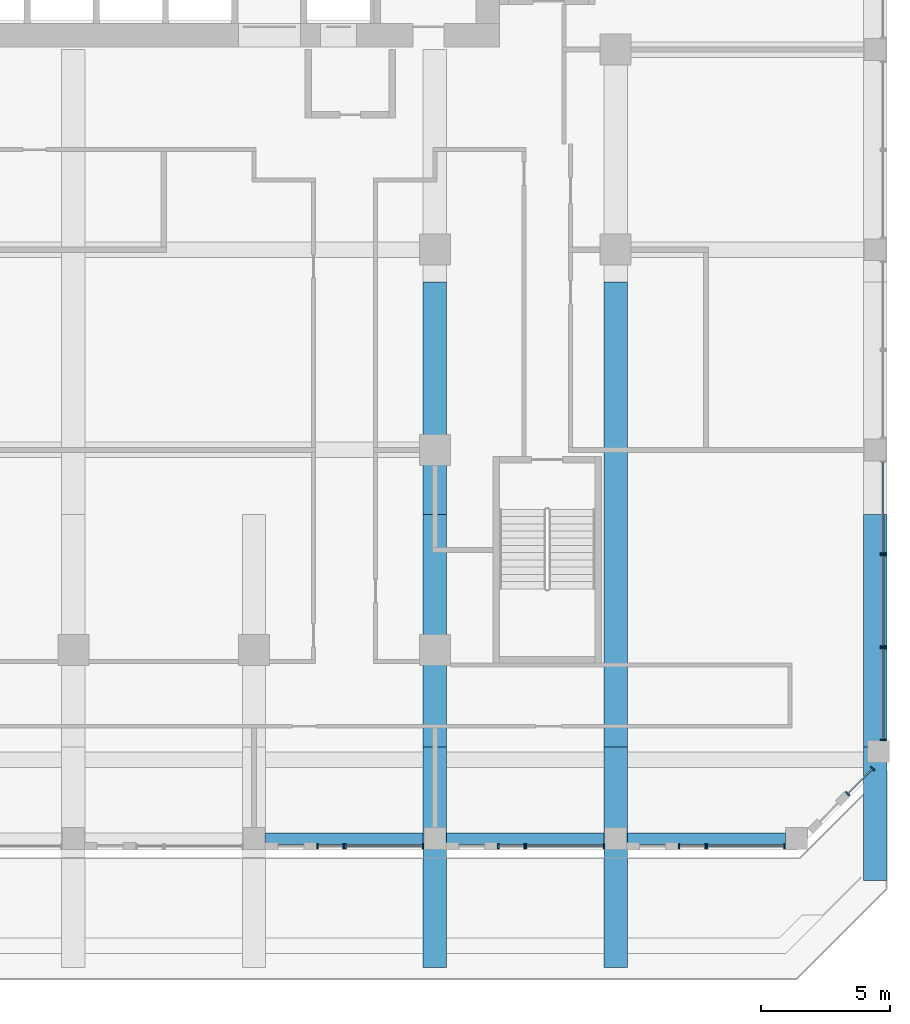
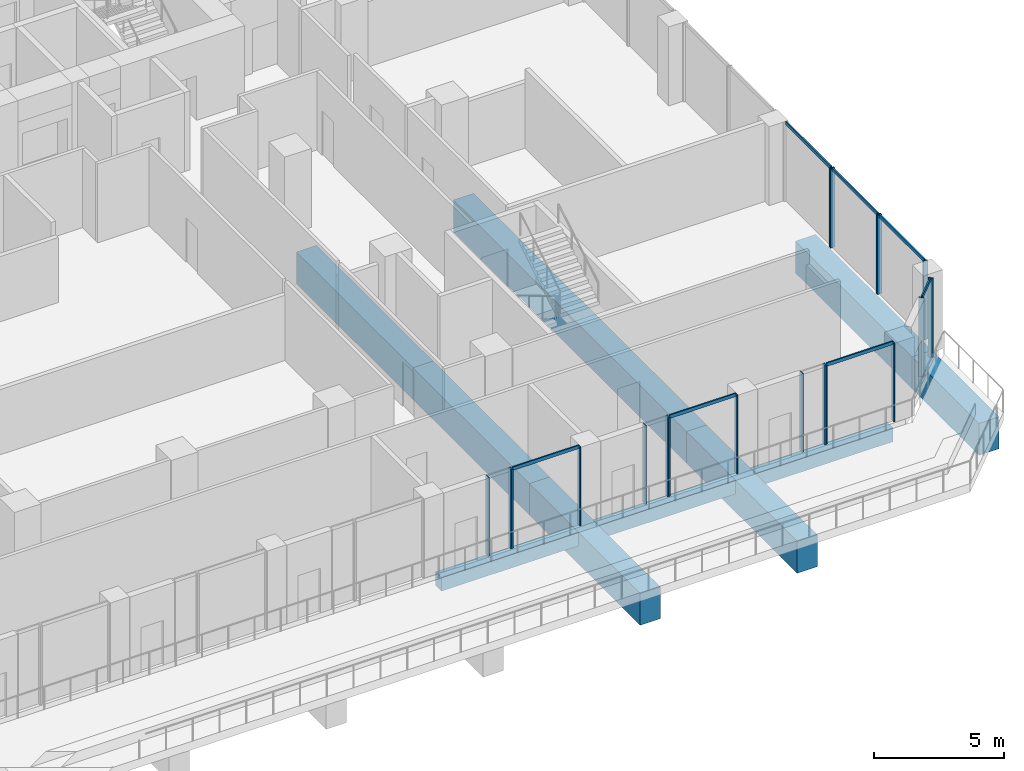
# One storey, part 4 of 17: 26 members, 10 beams, 10 elements without a shape of their own.
"""IFC4 building model written with IfcOpenShell, lengths in metres."""

from ifc_helpers import new_model, si_unit, direction, frame, origin, origin_2d, place, context, subcontext, project, spatial, rectangle, extrude, source, transform, mapped, material, material_profile, profile_set, type_object, element, aggregate, save


model = new_model("IFC4")

# Units and contexts
model_context = context("Model", 3, precision=1e-05, world=origin(), true_north=direction((0.0, 1.0)))
body_context = subcontext(model_context, "Body", "Model", "MODEL_VIEW")
ifc_project = project(units=[si_unit("LENGTHUNIT", "METRE"), si_unit("AREAUNIT", "SQUARE_METRE"), si_unit("VOLUMEUNIT", "CUBIC_METRE"), si_unit("PLANEANGLEUNIT", "RADIAN"), si_unit("MASSUNIT", "GRAM", prefix="KILO")], contexts=[model_context])

# Site, building, storey
site_placement = place(None, origin())
site = spatial("IfcSite", under=ifc_project, at=site_placement, CompositionType="ELEMENT")
building_placement = place(site_placement, origin())
building = spatial("IfcBuilding", under=site, at=building_placement, Name="Kilnfold Tower and Market Hall", CompositionType="ELEMENT")
storey_placement = place(building_placement, frame((0.0, 0.0, 100.60009765625)))
storey = spatial("IfcBuildingStorey", under=building, at=storey_placement, Name="L23", CompositionType="ELEMENT", Elevation=100.60009765625)

# Beams
ifc_material_1 = material(Name="Concrete C45", Category="concrete")
ifc_material_profile_1 = material_profile(ifc_material_1, rectangle(XDim=0.449951171875, YDim=0.64990234375, at=origin_2d()), Name="RC 450x650")
ifc_profile_set_1 = profile_set([ifc_material_profile_1], Name="Concrete C45")
beam_type_1 = type_object("IfcBeamType", Name="EDGE BEAM 450X650 C45", PredefinedType="BEAM", material=ifc_profile_set_1)
shared_shape_1 = source(origin(), body_context, "Body", "SweptSolid", [
    extrude(rectangle(XDim=0.449951171875, YDim=0.64990234375, at=origin_2d()), origin(), (0.0, 0.0, 1.0), 6.10009765625),
])
for number, where, z_axis, x_axis, name in (
    (1, (8.949951171875, -22.550048828125, -0.72509765625), (1.0, 0.0, 0.0), (0.0, 1.0, 0.0), "Beam EB650-B3.41"),
    (2, (15.949951171875, -22.550048828125, -0.72509765625), (1.0, 0.0, 0.0), (0.0, 1.0, 0.0), "Beam EB650-B3.42"),
):
    element("IfcBeam", number, at=place(storey_placement, frame(where, z_axis=z_axis, x_axis=x_axis)), inside=storey, type_object=beam_type_1, Name=name, PredefinedType="BEAM", context=body_context, shape_type="MappedRepresentation", body=[
        mapped(shared_shape_1, transform((0.0, 0.0, 0.0))),
    ])
ifc_material_2 = material(Name="Concrete C60", Category="concrete")
ifc_material_profile_2 = material_profile(ifc_material_2, rectangle(XDim=0.89990234375, YDim=1.5, at=origin_2d()), Name="RC 900x1500")
ifc_profile_set_2 = profile_set([ifc_material_profile_2], Name="Concrete C60")
beam_type_2 = type_object("IfcBeamType", Name="TRANSFER GIRDER 900X1500 C60", PredefinedType="BEAM", material=ifc_profile_set_2)
shared_shape_2 = source(origin(), body_context, "Body", "SweptSolid", [
    extrude(rectangle(XDim=0.89990234375, YDim=1.5, at=origin_2d()), origin(), (0.0, 0.0, 1.0), 9.0),
])
for number, where, z_axis, x_axis, name in (
    (3, (15.5, -19.0, -1.150146484375), (0.0, 1.0, 0.0), (-1.0, 0.0, 0.0), "Beam TG1500-B3.24"),
    (4, (15.5, -10.0, -1.150146484375), (0.0, 1.0, 0.0), (-1.0, 0.0, 0.0), "Beam TG1500-B3.25"),
    (5, (32.550048828125, -19.0, -1.150146484375), (0.0, 1.0, 0.0), (-1.0, 0.0, 0.0), "Beam TG1500-B3.32"),
):
    element("IfcBeam", number, at=place(storey_placement, frame(where, z_axis=z_axis, x_axis=x_axis)), inside=storey, type_object=beam_type_2, Name=name, PredefinedType="BEAM", context=body_context, shape_type="MappedRepresentation", body=[
        mapped(shared_shape_2, transform((0.0, 0.0, 0.0))),
    ])
shared_shape_3 = source(origin(), body_context, "Body", "SweptSolid", [
    extrude(rectangle(XDim=0.89990234375, YDim=1.5, at=origin_2d()), origin(), (0.0, 0.0, 1.0), 8.550048828125),
])
for number, where, z_axis, x_axis, name in (
    (6, (15.5, -27.550048828125, -1.150146484375), (0.0, 1.0, 0.0), (-1.0, 0.0, 0.0), "Beam TG1500-B3.23"),
    (7, (22.5, -27.550048828125, -1.150146484375), (0.0, 1.0, 0.0), (-1.0, 0.0, 0.0), "Beam TG1500-B3.28"),
):
    element("IfcBeam", number, at=place(storey_placement, frame(where, z_axis=z_axis, x_axis=x_axis)), inside=storey, type_object=beam_type_2, Name=name, PredefinedType="BEAM", context=body_context, shape_type="MappedRepresentation", body=[
        mapped(shared_shape_3, transform((0.0, 0.0, 0.0))),
    ])
shared_shape_4 = source(origin(), body_context, "Body", "SweptSolid", [
    extrude(rectangle(XDim=0.89990234375, YDim=1.5, at=origin_2d()), origin(), (0.0, 0.0, 1.0), 18.0),
])
beam_1_placement = place(storey_placement, frame((22.5, -19.0, -1.150146484375), z_axis=(0.0, 1.0, 0.0), x_axis=(-1.0, 0.0, 0.0)))
element("IfcBeam", 8, at=beam_1_placement, inside=storey, type_object=beam_type_2, Name="Beam TG1500-B3.29", PredefinedType="BEAM", context=body_context, shape_type="MappedRepresentation", body=[
    mapped(shared_shape_4, transform((0.0, 0.0, 0.0))),
])
shared_shape_5 = source(origin(), body_context, "Body", "SweptSolid", [
    extrude(rectangle(XDim=0.89990234375, YDim=1.5, at=origin_2d()), origin(), (0.0, 0.0, 1.0), 5.181884765625),
])
beam_2_placement = place(storey_placement, frame((32.550048828125, -24.181884765625, -1.150146484375), z_axis=(0.0, 1.0, 0.0), x_axis=(-1.0, 0.0, 0.0)))
element("IfcBeam", 9, at=beam_2_placement, inside=storey, type_object=beam_type_2, Name="Beam TG1500-B3.31", PredefinedType="BEAM", context=body_context, shape_type="MappedRepresentation", body=[
    mapped(shared_shape_5, transform((0.0, 0.0, 0.0))),
])
shared_shape_6 = source(origin(), body_context, "Body", "SweptSolid", [
    extrude(rectangle(XDim=0.449951171875, YDim=0.64990234375, at=origin_2d()), origin(), (0.0, 0.0, 1.0), 6.125),
])
beam_3_placement = place(storey_placement, frame((22.949951171875, -22.550048828125, -0.72509765625), z_axis=(1.0, 0.0, 0.0), x_axis=(0.0, 1.0, 0.0)))
element("IfcBeam", 10, at=beam_3_placement, inside=storey, type_object=beam_type_1, Name="Beam EB650-B3.43", PredefinedType="BEAM", context=body_context, shape_type="MappedRepresentation", body=[
    mapped(shared_shape_6, transform((0.0, 0.0, 0.0))),
])

# Curtain wall, members
ifc_material_3 = material(Name="Aluminium and double glazing", Category="aluminium")
curtain_wall_type = type_object("IfcCurtainWallType", Name="CW OF2 VALLEY GLAZING", PredefinedType="NOTDEFINED", material=ifc_material_3)
curtain_wall_1_placement = place(storey_placement, origin())
curtain_wall_1 = element("IfcCurtainWall", 11, at=curtain_wall_1_placement, inside=storey, type_object=curtain_wall_type, Name="Curtain wall CW2 L23 S", PredefinedType="NOTDEFINED")
ifc_material_4 = material(Name="Aluminium", Category="aluminium")
ifc_material_profile_3 = material_profile(ifc_material_4, rectangle(XDim=0.06005859375, YDim=0.199951171875, at=origin_2d()), Name="MULLION 60x200")
ifc_profile_set_3 = profile_set([ifc_material_profile_3], Name="Aluminium")
member_type_1 = type_object("IfcMemberType", Name="MULLION 60X200", PredefinedType="MULLION", material=ifc_profile_set_3)
shared_shape_7 = source(origin(), body_context, "Body", "SweptSolid", [
    extrude(rectangle(XDim=0.06005859375, YDim=0.199951171875, at=origin_2d()), origin(), (0.0, 0.0, 1.0), 3.719970703125),
])
member_1_placement = place(storey_placement, frame((10.955078125, -22.85009765625, 0.0), z_axis=(0.0, 0.0, 1.0), x_axis=(1.0, 0.0, 0.0)))
member_1 = element("IfcMember", 12, at=member_1_placement, type_object=member_type_1, Name="CW2 mullion 1", PredefinedType="MULLION", context=body_context, shape_type="MappedRepresentation", body=[
    mapped(shared_shape_7, transform((0.0, 0.0, 0.0))),
])
member_2_placement = place(storey_placement, frame((11.969970703125, -22.85009765625, 0.0), z_axis=(0.0, 0.0, 1.0), x_axis=(1.0, 0.0, 0.0)))
member_2 = element("IfcMember", 13, at=member_2_placement, type_object=member_type_1, Name="CW2 mullion 2", PredefinedType="MULLION", context=body_context, shape_type="MappedRepresentation", body=[
    mapped(shared_shape_7, transform((0.0, 0.0, 0.0))),
])
aggregate(curtain_wall_1, [member_1, member_2])

curtain_wall_2_placement = place(storey_placement, origin())
curtain_wall_2 = element("IfcCurtainWall", 14, at=curtain_wall_2_placement, inside=storey, type_object=curtain_wall_type, Name="Curtain wall CW2 L23 S", PredefinedType="NOTDEFINED")
member_3_placement = place(storey_placement, frame((12.030029296875, -22.85009765625, 0.0), z_axis=(0.0, 0.0, 1.0), x_axis=(1.0, 0.0, 0.0)))
member_3 = element("IfcMember", 15, at=member_3_placement, type_object=member_type_1, Name="CW2 mullion 1", PredefinedType="MULLION", context=body_context, shape_type="MappedRepresentation", body=[
    mapped(shared_shape_7, transform((0.0, 0.0, 0.0))),
])
member_4_placement = place(storey_placement, frame((15.044921875, -22.85009765625, 0.0), z_axis=(0.0, 0.0, 1.0), x_axis=(1.0, 0.0, 0.0)))
member_4 = element("IfcMember", 16, at=member_4_placement, type_object=member_type_1, Name="CW2 mullion 2", PredefinedType="MULLION", context=body_context, shape_type="MappedRepresentation", body=[
    mapped(shared_shape_7, transform((0.0, 0.0, 0.0))),
])

curtain_wall_3_placement = place(storey_placement, origin())
curtain_wall_3 = element("IfcCurtainWall", 17, at=curtain_wall_3_placement, inside=storey, type_object=curtain_wall_type, Name="Curtain wall CW2 L23 S", PredefinedType="NOTDEFINED")
member_5_placement = place(storey_placement, frame((17.955078125, -22.85009765625, 0.0), z_axis=(0.0, 0.0, 1.0), x_axis=(1.0, 0.0, 0.0)))
member_5 = element("IfcMember", 18, at=member_5_placement, type_object=member_type_1, Name="CW2 mullion 1", PredefinedType="MULLION", context=body_context, shape_type="MappedRepresentation", body=[
    mapped(shared_shape_7, transform((0.0, 0.0, 0.0))),
])
member_6_placement = place(storey_placement, frame((18.969970703125, -22.85009765625, 0.0), z_axis=(0.0, 0.0, 1.0), x_axis=(1.0, 0.0, 0.0)))
member_6 = element("IfcMember", 19, at=member_6_placement, type_object=member_type_1, Name="CW2 mullion 2", PredefinedType="MULLION", context=body_context, shape_type="MappedRepresentation", body=[
    mapped(shared_shape_7, transform((0.0, 0.0, 0.0))),
])
aggregate(curtain_wall_3, [member_5, member_6])

curtain_wall_4_placement = place(storey_placement, origin())
curtain_wall_4 = element("IfcCurtainWall", 20, at=curtain_wall_4_placement, inside=storey, type_object=curtain_wall_type, Name="Curtain wall CW2 L23 S", PredefinedType="NOTDEFINED")
member_7_placement = place(storey_placement, frame((19.030029296875, -22.85009765625, 0.0), z_axis=(0.0, 0.0, 1.0), x_axis=(1.0, 0.0, 0.0)))
member_7 = element("IfcMember", 21, at=member_7_placement, type_object=member_type_1, Name="CW2 mullion 1", PredefinedType="MULLION", context=body_context, shape_type="MappedRepresentation", body=[
    mapped(shared_shape_7, transform((0.0, 0.0, 0.0))),
])
member_8_placement = place(storey_placement, frame((22.044921875, -22.85009765625, 0.0), z_axis=(0.0, 0.0, 1.0), x_axis=(1.0, 0.0, 0.0)))
member_8 = element("IfcMember", 22, at=member_8_placement, type_object=member_type_1, Name="CW2 mullion 2", PredefinedType="MULLION", context=body_context, shape_type="MappedRepresentation", body=[
    mapped(shared_shape_7, transform((0.0, 0.0, 0.0))),
])

curtain_wall_5_placement = place(storey_placement, origin())
curtain_wall_5 = element("IfcCurtainWall", 23, at=curtain_wall_5_placement, inside=storey, type_object=curtain_wall_type, Name="Curtain wall CW2 L23 S", PredefinedType="NOTDEFINED")
member_9_placement = place(storey_placement, frame((24.955078125, -22.85009765625, 0.0), z_axis=(0.0, 0.0, 1.0), x_axis=(1.0, 0.0, 0.0)))
member_9 = element("IfcMember", 24, at=member_9_placement, type_object=member_type_1, Name="CW2 mullion 1", PredefinedType="MULLION", context=body_context, shape_type="MappedRepresentation", body=[
    mapped(shared_shape_7, transform((0.0, 0.0, 0.0))),
])
member_10_placement = place(storey_placement, frame((25.969970703125, -22.85009765625, 0.0), z_axis=(0.0, 0.0, 1.0), x_axis=(1.0, 0.0, 0.0)))
member_10 = element("IfcMember", 25, at=member_10_placement, type_object=member_type_1, Name="CW2 mullion 2", PredefinedType="MULLION", context=body_context, shape_type="MappedRepresentation", body=[
    mapped(shared_shape_7, transform((0.0, 0.0, 0.0))),
])
aggregate(curtain_wall_5, [member_9, member_10])

curtain_wall_6_placement = place(storey_placement, origin())
curtain_wall_6 = element("IfcCurtainWall", 26, at=curtain_wall_6_placement, inside=storey, type_object=curtain_wall_type, Name="Curtain wall CW2 L23 S", PredefinedType="NOTDEFINED")
member_11_placement = place(storey_placement, frame((26.030029296875, -22.85009765625, 0.0), z_axis=(0.0, 0.0, 1.0), x_axis=(1.0, 0.0, 0.0)))
member_11 = element("IfcMember", 27, at=member_11_placement, type_object=member_type_1, Name="CW2 mullion 1", PredefinedType="MULLION", context=body_context, shape_type="MappedRepresentation", body=[
    mapped(shared_shape_7, transform((0.0, 0.0, 0.0))),
])
member_12_placement = place(storey_placement, frame((29.044921875, -22.85009765625, 0.0), z_axis=(0.0, 0.0, 1.0), x_axis=(1.0, 0.0, 0.0)))
member_12 = element("IfcMember", 28, at=member_12_placement, type_object=member_type_1, Name="CW2 mullion 2", PredefinedType="MULLION", context=body_context, shape_type="MappedRepresentation", body=[
    mapped(shared_shape_7, transform((0.0, 0.0, 0.0))),
])

curtain_wall_7_placement = place(storey_placement, origin())
curtain_wall_7 = element("IfcCurtainWall", 29, at=curtain_wall_7_placement, inside=storey, type_object=curtain_wall_type, Name="Curtain wall CW2 L23 SE", PredefinedType="NOTDEFINED")
member_13_placement = place(storey_placement, frame((31.479248046875, -20.80859375, 0.0), z_axis=(0.0, 0.0, 1.0), x_axis=(0.707106781187, 0.707106781187, 0.0)))
member_13 = element("IfcMember", 30, at=member_13_placement, type_object=member_type_1, Name="CW2 mullion 1", PredefinedType="MULLION", context=body_context, shape_type="MappedRepresentation", body=[
    mapped(shared_shape_7, transform((0.0, 0.0, 0.0))),
])
member_14_placement = place(storey_placement, frame((32.44775390625, -19.840087890625, 0.0), z_axis=(0.0, 0.0, 1.0), x_axis=(0.707106781187, 0.707106781187, 0.0)))
member_14 = element("IfcMember", 31, at=member_14_placement, type_object=member_type_1, Name="CW2 mullion 2", PredefinedType="MULLION", context=body_context, shape_type="MappedRepresentation", body=[
    mapped(shared_shape_7, transform((0.0, 0.0, 0.0))),
])

curtain_wall_8_placement = place(storey_placement, origin())
curtain_wall_8 = element("IfcCurtainWall", 32, at=curtain_wall_8_placement, inside=storey, type_object=curtain_wall_type, Name="Curtain wall CW2 L23 E", PredefinedType="NOTDEFINED")
member_15_placement = place(storey_placement, frame((32.85009765625, -18.726806640625, 0.0), z_axis=(0.0, 0.0, 1.0), x_axis=(0.0, 1.0, 0.0)))
member_15 = element("IfcMember", 33, at=member_15_placement, type_object=member_type_1, Name="CW2 mullion 1", PredefinedType="MULLION", context=body_context, shape_type="MappedRepresentation", body=[
    mapped(shared_shape_7, transform((0.0, 0.0, 0.0))),
])
member_16_placement = place(storey_placement, frame((32.85009765625, -15.17626953125, 0.0), z_axis=(0.0, 0.0, 1.0), x_axis=(0.0, 1.0, 0.0)))
member_16 = element("IfcMember", 34, at=member_16_placement, type_object=member_type_1, Name="CW2 mullion 2", PredefinedType="MULLION", context=body_context, shape_type="MappedRepresentation", body=[
    mapped(shared_shape_7, transform((0.0, 0.0, 0.0))),
])

curtain_wall_9_placement = place(storey_placement, origin())
curtain_wall_9 = element("IfcCurtainWall", 35, at=curtain_wall_9_placement, inside=storey, type_object=curtain_wall_type, Name="Curtain wall CW2 L23 E", PredefinedType="NOTDEFINED")
member_17_placement = place(storey_placement, frame((32.85009765625, -15.1162109375, 0.0), z_axis=(0.0, 0.0, 1.0), x_axis=(0.0, 1.0, 0.0)))
member_17 = element("IfcMember", 36, at=member_17_placement, type_object=member_type_1, Name="CW2 mullion 1", PredefinedType="MULLION", context=body_context, shape_type="MappedRepresentation", body=[
    mapped(shared_shape_7, transform((0.0, 0.0, 0.0))),
])
member_18_placement = place(storey_placement, frame((32.85009765625, -11.565673828125, 0.0), z_axis=(0.0, 0.0, 1.0), x_axis=(0.0, 1.0, 0.0)))
member_18 = element("IfcMember", 37, at=member_18_placement, type_object=member_type_1, Name="CW2 mullion 2", PredefinedType="MULLION", context=body_context, shape_type="MappedRepresentation", body=[
    mapped(shared_shape_7, transform((0.0, 0.0, 0.0))),
])

# Curtain wall, member
curtain_wall_10_placement = place(storey_placement, origin())
curtain_wall_10 = element("IfcCurtainWall", 38, at=curtain_wall_10_placement, inside=storey, type_object=curtain_wall_type, Name="Curtain wall CW2 L23 E", PredefinedType="NOTDEFINED")
member_19_placement = place(storey_placement, frame((32.85009765625, -11.505615234375, 0.0), z_axis=(0.0, 0.0, 1.0), x_axis=(0.0, 1.0, 0.0)))
member_19 = element("IfcMember", 39, at=member_19_placement, type_object=member_type_1, Name="CW2 mullion 1", PredefinedType="MULLION", context=body_context, shape_type="MappedRepresentation", body=[
    mapped(shared_shape_7, transform((0.0, 0.0, 0.0))),
])

# Member
ifc_material_5 = material(Name="Aluminium", Category="aluminium")
ifc_material_profile_4 = material_profile(ifc_material_5, rectangle(XDim=0.06005859375, YDim=0.159912109375, at=origin_2d()), Name="TRANSOM 60x160")
ifc_profile_set_4 = profile_set([ifc_material_profile_4], Name="Aluminium")
member_type_2 = type_object("IfcMemberType", Name="TRANSOM 60X160", PredefinedType="USERDEFINED", material=ifc_profile_set_4)
shared_shape_8 = source(origin(), body_context, "Body", "SweptSolid", [
    extrude(rectangle(XDim=0.06005859375, YDim=0.159912109375, at=origin_2d()), origin(), (0.0, 0.0, 1.0), 2.954833984375),
])
member_20_placement = place(storey_placement, frame((12.06005859375, -22.85009765625, 3.68994140625), z_axis=(1.0, 0.0, 0.0), x_axis=(0.0, 1.0, 0.0)))
member_20 = element("IfcMember", 40, at=member_20_placement, type_object=member_type_2, Name="CW2 transom 1.2", ObjectType="TRANSOM", PredefinedType="USERDEFINED", context=body_context, shape_type="MappedRepresentation", body=[
    mapped(shared_shape_8, transform((0.0, 0.0, 0.0))),
])

aggregate(curtain_wall_2, [member_3, member_4, member_20])

member_21_placement = place(storey_placement, frame((19.06005859375, -22.85009765625, 3.68994140625), z_axis=(1.0, 0.0, 0.0), x_axis=(0.0, 1.0, 0.0)))
member_21 = element("IfcMember", 41, at=member_21_placement, type_object=member_type_2, Name="CW2 transom 1.2", ObjectType="TRANSOM", PredefinedType="USERDEFINED", context=body_context, shape_type="MappedRepresentation", body=[
    mapped(shared_shape_8, transform((0.0, 0.0, 0.0))),
])

aggregate(curtain_wall_4, [member_7, member_8, member_21])

member_22_placement = place(storey_placement, frame((26.06005859375, -22.85009765625, 3.68994140625), z_axis=(1.0, 0.0, 0.0), x_axis=(0.0, 1.0, 0.0)))
member_22 = element("IfcMember", 42, at=member_22_placement, type_object=member_type_2, Name="CW2 transom 1.2", ObjectType="TRANSOM", PredefinedType="USERDEFINED", context=body_context, shape_type="MappedRepresentation", body=[
    mapped(shared_shape_8, transform((0.0, 0.0, 0.0))),
])

aggregate(curtain_wall_6, [member_11, member_12, member_22])

shared_shape_9 = source(origin(), body_context, "Body", "SweptSolid", [
    extrude(rectangle(XDim=0.06005859375, YDim=0.159912109375, at=origin_2d()), origin(), (0.0, 0.0, 1.0), 1.3095703125),
])
member_23_placement = place(storey_placement, frame((31.50048828125, -20.787353515625, 3.68994140625), z_axis=(0.707106781187, 0.707106781187, 0.0), x_axis=(-0.707106781187, 0.707106781187, 0.0)))
member_23 = element("IfcMember", 43, at=member_23_placement, type_object=member_type_2, Name="CW2 transom 1.2", ObjectType="TRANSOM", PredefinedType="USERDEFINED", context=body_context, shape_type="MappedRepresentation", body=[
    mapped(shared_shape_9, transform((0.0, 0.0, 0.0))),
])

aggregate(curtain_wall_7, [member_13, member_14, member_23])

shared_shape_10 = source(origin(), body_context, "Body", "SweptSolid", [
    extrude(rectangle(XDim=0.06005859375, YDim=0.159912109375, at=origin_2d()), origin(), (0.0, 0.0, 1.0), 3.490478515625),
])
member_24_placement = place(storey_placement, frame((32.85009765625, -18.69677734375, 3.68994140625), z_axis=(0.0, 1.0, 0.0), x_axis=(-1.0, 0.0, 0.0)))
member_24 = element("IfcMember", 44, at=member_24_placement, type_object=member_type_2, Name="CW2 transom 1.2", ObjectType="TRANSOM", PredefinedType="USERDEFINED", context=body_context, shape_type="MappedRepresentation", body=[
    mapped(shared_shape_10, transform((0.0, 0.0, 0.0))),
])

aggregate(curtain_wall_8, [member_15, member_16, member_24])

member_25_placement = place(storey_placement, frame((32.85009765625, -15.086181640625, 3.68994140625), z_axis=(0.0, 1.0, 0.0), x_axis=(-1.0, 0.0, 0.0)))
member_25 = element("IfcMember", 45, at=member_25_placement, type_object=member_type_2, Name="CW2 transom 1.2", ObjectType="TRANSOM", PredefinedType="USERDEFINED", context=body_context, shape_type="MappedRepresentation", body=[
    mapped(shared_shape_10, transform((0.0, 0.0, 0.0))),
])

aggregate(curtain_wall_9, [member_17, member_18, member_25])

member_26_placement = place(storey_placement, frame((32.85009765625, -11.4755859375, 3.68994140625), z_axis=(0.0, 1.0, 0.0), x_axis=(-1.0, 0.0, 0.0)))
member_26 = element("IfcMember", 46, at=member_26_placement, type_object=member_type_2, Name="CW2 transom 1.2", ObjectType="TRANSOM", PredefinedType="USERDEFINED", context=body_context, shape_type="MappedRepresentation", body=[
    mapped(shared_shape_10, transform((0.0, 0.0, 0.0))),
])

aggregate(curtain_wall_10, [member_19, member_26])

save(model, "model.ifc")
